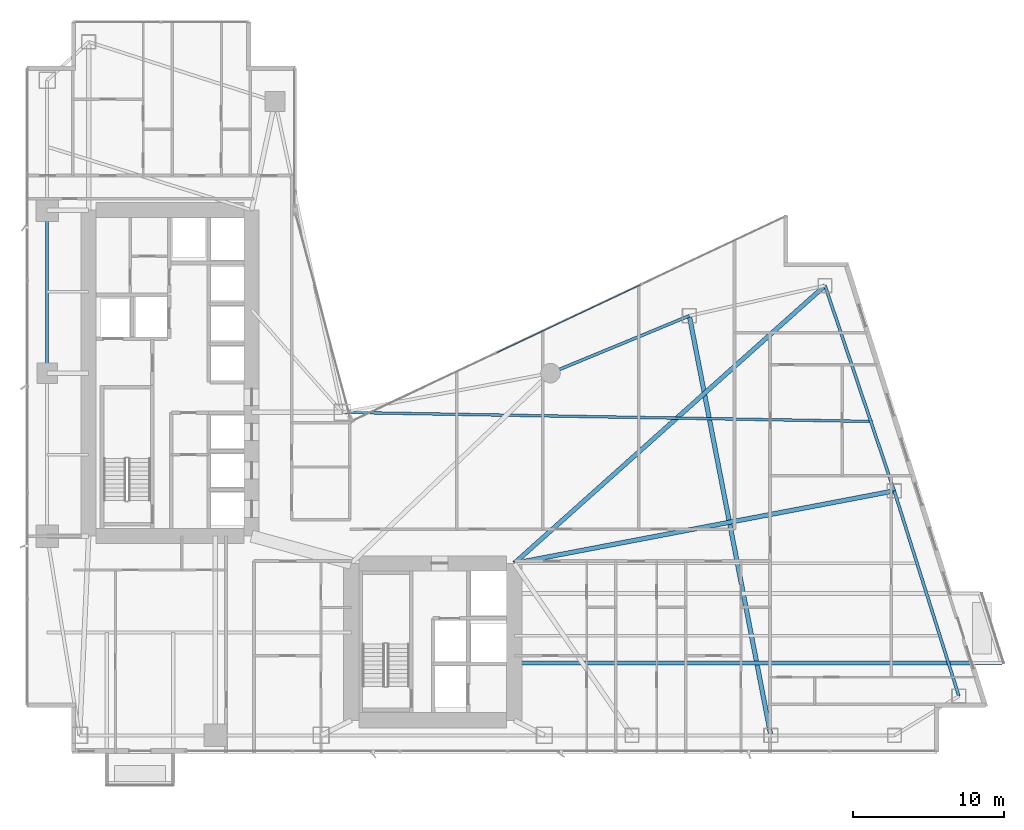
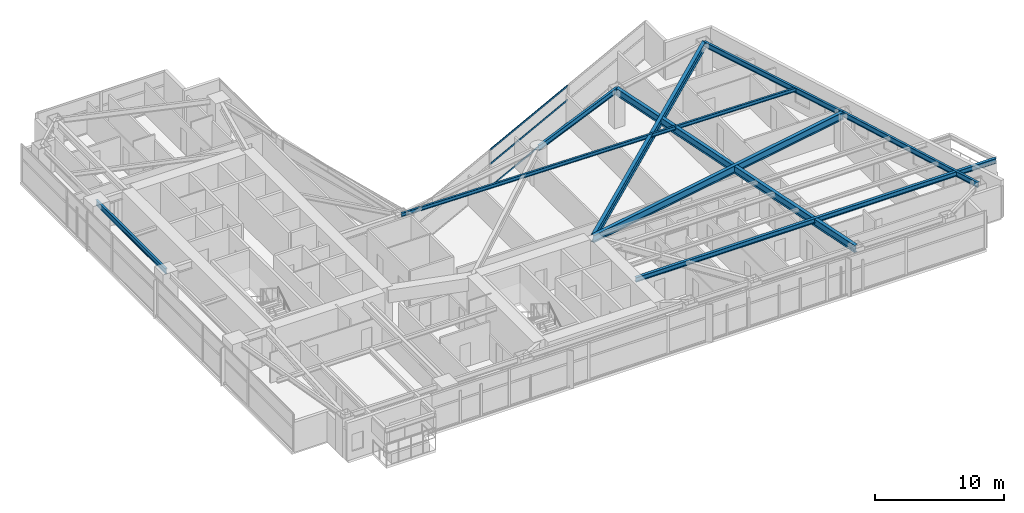
# One storey, part 15 of 30: 9 beams, 3 members, 1 element without a shape of its own.
"""IFC4 building model written with IfcOpenShell, lengths in metres."""

from ifc_helpers import new_model, si_unit, direction, frame, origin, origin_2d, place, context, subcontext, project, spatial, hollow_rectangle, i_section, extrude, material, layer, layer_set, material_profile, profile_set, type_object, element, aggregate, save


model = new_model("IFC4")

# Units and contexts
model_context = context("Model", 3, precision=1e-05, world=origin(), true_north=direction((0.0, 1.0)))
body_context = subcontext(model_context, "Body", "Model", "MODEL_VIEW")
ifc_project = project(units=[si_unit("LENGTHUNIT", "METRE"), si_unit("AREAUNIT", "SQUARE_METRE"), si_unit("VOLUMEUNIT", "CUBIC_METRE"), si_unit("PLANEANGLEUNIT", "RADIAN"), si_unit("MASSUNIT", "GRAM", prefix="KILO")], contexts=[model_context])

# Site, building, storey
site_placement = place(None, origin())
site = spatial("IfcSite", under=ifc_project, at=site_placement, CompositionType="ELEMENT")
building_placement = place(site_placement, origin())
building = spatial("IfcBuilding", under=site, at=building_placement, Name="Calvorn Quay Hotel", CompositionType="ELEMENT")
storey_placement = place(building_placement, frame((0.0, 0.0, 50.800048828125)))
storey = spatial("IfcBuildingStorey", under=building, at=storey_placement, Name="L11", CompositionType="ELEMENT", Elevation=50.800048828125)

# Beams
ifc_material_1 = material(Name="Steel Q355B", Category="steel")
ifc_material_profile_1 = material_profile(ifc_material_1, i_section(OverallWidth=0.25, OverallDepth=0.449951171875, WebThickness=0.011962890625, FlangeThickness=0.01611328125, FilletRadius=0.01611328125, at=origin_2d()), Name="HN450x250x12x16")
ifc_profile_set_1 = profile_set([ifc_material_profile_1], Name="Steel Q355B")
beam_type_1 = type_object("IfcBeamType", Name="BM-CANT-BALC", PredefinedType="BEAM", material=ifc_profile_set_1)
beam_1_placement = place(storey_placement, frame((32.39990234375, 8.39990234375, 3.31494140625), z_axis=(1.0, 0.0, 0.0), x_axis=(0.0, 1.0, 0.0)))
element("IfcBeam", 1, at=beam_1_placement, inside=storey, type_object=beam_type_1, Name="Cantilever Balcony Beam BCB-L12-1A", PredefinedType="BEAM", context=body_context, shape_type="SweptSolid", body=[
    extrude(i_section(OverallWidth=0.25, OverallDepth=0.449951171875, WebThickness=0.011962890625, FlangeThickness=0.01611328125, FilletRadius=0.01611328125, at=origin_2d()), origin(), (0.0, 0.0, 1.0), 32.30810546875),
])
ifc_material_2 = material(Name="Steel Q390GJC", Category="steel")
ifc_material_profile_2 = material_profile(ifc_material_2, i_section(OverallWidth=0.300048828125, OverallDepth=0.699951171875, WebThickness=0.012939453125, FlangeThickness=0.02392578125, FilletRadius=0.02392578125, at=origin_2d()), Name="HN700x300x13x24")
ifc_profile_set_2 = profile_set([ifc_material_profile_2], Name="Steel Q390GJC")
beam_type_2 = type_object("IfcBeamType", Name="BM-GIRD-MAIN", PredefinedType="BEAM", material=ifc_profile_set_2)
beam_2_placement = place(storey_placement, frame((32.39990234375, 15.0, 3.18994140625), z_axis=(0.982305450614, 0.18728588226, 0.0), x_axis=(-0.18728588226, 0.982305450614, 0.0)))
element("IfcBeam", 2, at=beam_2_placement, inside=storey, type_object=beam_type_2, Name="Beam BG-L11-E2", PredefinedType="BEAM", context=body_context, shape_type="SweptSolid", body=[
    extrude(i_section(OverallWidth=0.300048828125, OverallDepth=0.699951171875, WebThickness=0.012939453125, FlangeThickness=0.02392578125, FilletRadius=0.02392578125, at=origin_2d()), origin(), (0.0, 0.0, 1.0), 25.629638671875),
])
beam_3_placement = place(storey_placement, frame((32.39990234375, 15.0, 3.18994140625), z_axis=(0.745667316004, 0.666318432766, 0.0), x_axis=(-0.666318432766, 0.745667316004, 0.0)))
element("IfcBeam", 3, at=beam_3_placement, inside=storey, type_object=beam_type_2, Name="Beam BG-L11-E3", PredefinedType="BEAM", context=body_context, shape_type="SweptSolid", body=[
    extrude(i_section(OverallWidth=0.300048828125, OverallDepth=0.699951171875, WebThickness=0.012939453125, FlangeThickness=0.02392578125, FilletRadius=0.02392578125, at=origin_2d()), origin(), (0.0, 0.0, 1.0), 27.6142578125),
])
beam_4_placement = place(storey_placement, frame((49.39990234375, 3.60009765625, 3.18994140625), z_axis=(-0.190678596862, 0.981652521363, 0.0), x_axis=(-0.981652521363, -0.190678596862, 0.0)))
element("IfcBeam", 4, at=beam_4_placement, inside=storey, type_object=beam_type_2, Name="Beam BG-L11-E5", PredefinedType="BEAM", context=body_context, shape_type="SweptSolid", body=[
    extrude(i_section(OverallWidth=0.300048828125, OverallDepth=0.699951171875, WebThickness=0.012939453125, FlangeThickness=0.02392578125, FilletRadius=0.02392578125, at=origin_2d()), origin(), (0.0, 0.0, 1.0), 28.3193359375),
])
ifc_material_3 = material(Name="Steel Q355B", Category="steel")
ifc_material_profile_3 = material_profile(ifc_material_3, i_section(OverallWidth=0.175048828125, OverallDepth=0.35009765625, WebThickness=0.007080078125, FlangeThickness=0.010986328125, FilletRadius=0.013916015625, at=origin_2d()), Name="HN350x175x7x11")
ifc_profile_set_3 = profile_set([ifc_material_profile_3], Name="Steel Q355B")
beam_type_3 = type_object("IfcBeamType", Name="BM-JOIST-SEC", PredefinedType="JOIST", material=ifc_profile_set_3)
beam_5_placement = place(storey_placement, frame((21.0, 25.0, 3.364990234375), z_axis=(0.999854105858, -0.017081188436, 0.0), x_axis=(0.017081188436, 0.999854105858, 0.0)))
element("IfcBeam", 5, at=beam_5_placement, inside=storey, type_object=beam_type_3, Name="Beam BJ-L11-E3", PredefinedType="JOIST", context=body_context, shape_type="SweptSolid", body=[
    extrude(i_section(OverallWidth=0.175048828125, OverallDepth=0.35009765625, WebThickness=0.007080078125, FlangeThickness=0.010986328125, FilletRadius=0.013916015625, at=origin_2d()), origin(), (0.0, 0.0, 1.0), 35.132080078125),
])
ifc_material_4 = material(Name="Steel Q355B", Category="steel")
ifc_material_profile_4 = material_profile(ifc_material_4, i_section(OverallWidth=0.199951171875, OverallDepth=0.5, WebThickness=0.010009765625, FlangeThickness=0.01611328125, FilletRadius=0.01611328125, at=origin_2d()), Name="HN500x200x10x16")
ifc_profile_set_4 = profile_set([ifc_material_profile_4], Name="Steel Q355B")
beam_type_4 = type_object("IfcBeamType", Name="BM-SPANDREL-Z1", PredefinedType="SPANDREL", material=ifc_profile_set_4)
beam_6_placement = place(storey_placement, frame((1.449951171875, 27.60009765625, 3.2900390625), z_axis=(0.0, 1.0, 0.0), x_axis=(-1.0, 0.0, 0.0)))
element("IfcBeam", 6, at=beam_6_placement, inside=storey, type_object=beam_type_4, Name="Beam BSP-L11-W3", PredefinedType="SPANDREL", context=body_context, shape_type="SweptSolid", body=[
    extrude(i_section(OverallWidth=0.199951171875, OverallDepth=0.5, WebThickness=0.010009765625, FlangeThickness=0.01611328125, FilletRadius=0.01611328125, at=origin_2d()), origin(), (0.0, 0.0, 1.0), 10.7998046875),
])
beam_7_placement = place(storey_placement, frame((61.861083984375, 6.199951171875, 3.2900390625), z_axis=(-0.300518378216, 0.953776024208, 0.0), x_axis=(-0.953776024208, -0.300518378216, 0.0)))
element("IfcBeam", 7, at=beam_7_placement, inside=storey, type_object=beam_type_4, Name="Beam BSP-L11-E1", PredefinedType="SPANDREL", context=body_context, shape_type="SweptSolid", body=[
    extrude(i_section(OverallWidth=0.199951171875, OverallDepth=0.5, WebThickness=0.010009765625, FlangeThickness=0.01611328125, FilletRadius=0.01611328125, at=origin_2d()), origin(), (0.0, 0.0, 1.0), 14.25927734375),
])
beam_8_placement = place(storey_placement, frame((57.575927734375, 19.800048828125, 3.2900390625), z_axis=(-0.319466515944, 0.947597564998, 0.0), x_axis=(-0.947597564998, -0.319466515944, 0.0)))
element("IfcBeam", 8, at=beam_8_placement, inside=storey, type_object=beam_type_4, Name="Beam BSP-L11-E2", PredefinedType="SPANDREL", context=body_context, shape_type="SweptSolid", body=[
    extrude(i_section(OverallWidth=0.199951171875, OverallDepth=0.5, WebThickness=0.010009765625, FlangeThickness=0.01611328125, FilletRadius=0.01611328125, at=origin_2d()), origin(), (0.0, 0.0, 1.0), 14.35205078125),
])
beam_9_placement = place(storey_placement, frame((44.0, 31.39990234375, 3.2900390625), z_axis=(-0.92426763497, -0.381745123017, 0.0), x_axis=(0.381745123017, -0.92426763497, 0.0)))
element("IfcBeam", 9, at=beam_9_placement, inside=storey, type_object=beam_type_4, Name="Beam BSP-L11-E4", PredefinedType="SPANDREL", context=body_context, shape_type="SweptSolid", body=[
    extrude(i_section(OverallWidth=0.199951171875, OverallDepth=0.5, WebThickness=0.010009765625, FlangeThickness=0.01611328125, FilletRadius=0.01611328125, at=origin_2d()), origin(), (0.0, 0.0, 1.0), 9.953857421875),
])

# Curtain wall, members
ifc_material_5 = material(Name="Pale Anodised Aluminium and Low-E Glass", Category="aluminium")
ifc_layer = layer(ifc_material_5, 0.219970703125)
ifc_layer_set = layer_set([ifc_layer], Name="CW-SYS-Z1")
curtain_wall_type = type_object("IfcCurtainWallType", Name="CW-SYS-Z1", PredefinedType="NOTDEFINED", material=ifc_layer_set)
curtain_wall_placement = place(storey_placement, origin())
curtain_wall = element("IfcCurtainWall", 10, at=curtain_wall_placement, inside=storey, type_object=curtain_wall_type, Name="Inner Court Curtain Wall L11-NE1", PredefinedType="NOTDEFINED")
ifc_material_6 = material(Name="Pale Anodised Aluminium 6063-T6", Category="aluminium")
ifc_material_profile_5 = material_profile(ifc_material_6, hollow_rectangle(XDim=0.06494140625, YDim=0.1650390625, WallThickness=0.00341796875, at=origin_2d()), Name="ALU-T165x65x3.5")
ifc_profile_set_5 = profile_set([ifc_material_profile_5], Name="Pale Anodised Aluminium 6063-T6")
member_type = type_object("IfcMemberType", Name="CW-SYS-Z1-TRN", PredefinedType="USERDEFINED", material=ifc_profile_set_5)
member_1_placement = place(storey_placement, frame((40.77294921875, 33.453857421875, 0.030029296875), z_axis=(-0.904247654564, -0.427008406493, 0.0), x_axis=(0.427008406493, -0.904247654564, 0.0)))
member_1 = element("IfcMember", 11, at=member_1_placement, type_object=member_type, Name="CW-L11-NE1 transom 2.1", ObjectType="TRANSOM", PredefinedType="USERDEFINED", context=body_context, shape_type="SweptSolid", body=[
    extrude(hollow_rectangle(XDim=0.06494140625, YDim=0.1650390625, WallThickness=0.00341796875, at=origin_2d()), origin(), (0.0, 0.0, 1.0), 10.556640625),
])
member_2_placement = place(storey_placement, frame((40.77294921875, 33.453857421875, 2.199951171875), z_axis=(-0.904247654564, -0.427008406493, 0.0), x_axis=(0.427008406493, -0.904247654564, 0.0)))
member_2 = element("IfcMember", 12, at=member_2_placement, type_object=member_type, Name="CW-L11-NE1 transom 2.2", ObjectType="TRANSOM", PredefinedType="USERDEFINED", context=body_context, shape_type="SweptSolid", body=[
    extrude(hollow_rectangle(XDim=0.06494140625, YDim=0.1650390625, WallThickness=0.00341796875, at=origin_2d()), origin(), (0.0, 0.0, 1.0), 10.556640625),
])
member_3_placement = place(storey_placement, frame((40.77294921875, 33.453857421875, 3.530029296875), z_axis=(-0.904247654564, -0.427008406493, 0.0), x_axis=(0.427008406493, -0.904247654564, 0.0)))
member_3 = element("IfcMember", 13, at=member_3_placement, type_object=member_type, Name="CW-L11-NE1 transom 2.3", ObjectType="TRANSOM", PredefinedType="USERDEFINED", context=body_context, shape_type="SweptSolid", body=[
    extrude(hollow_rectangle(XDim=0.06494140625, YDim=0.1650390625, WallThickness=0.00341796875, at=origin_2d()), origin(), (0.0, 0.0, 1.0), 10.556640625),
])
aggregate(curtain_wall, [member_1, member_2, member_3])

save(model, "model.ifc")
